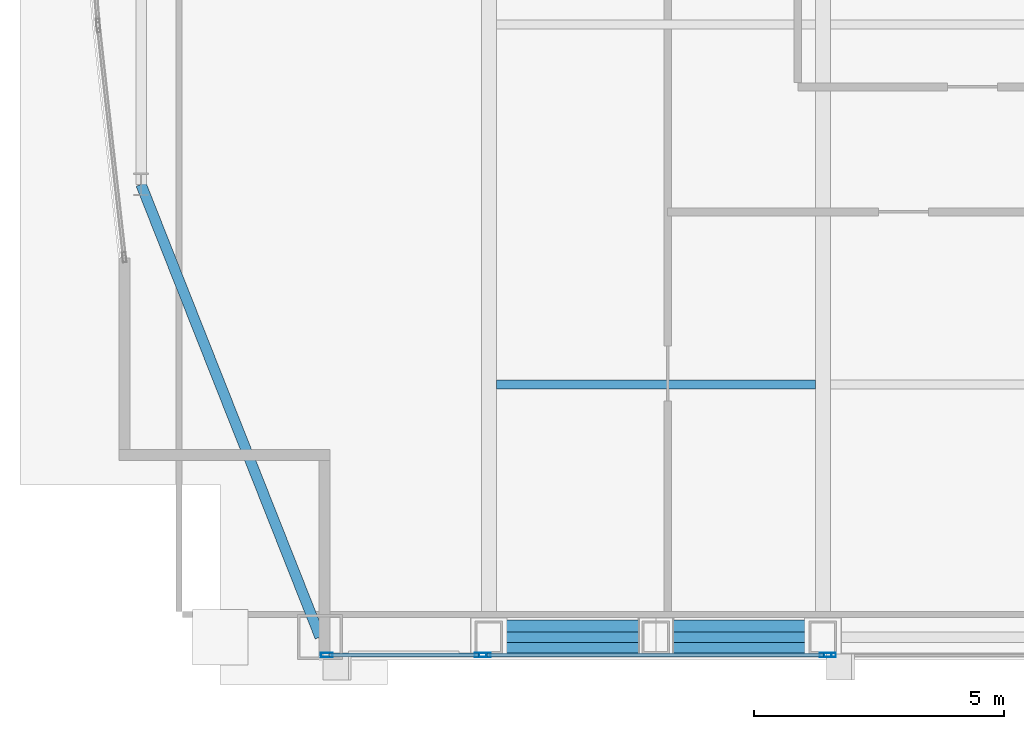
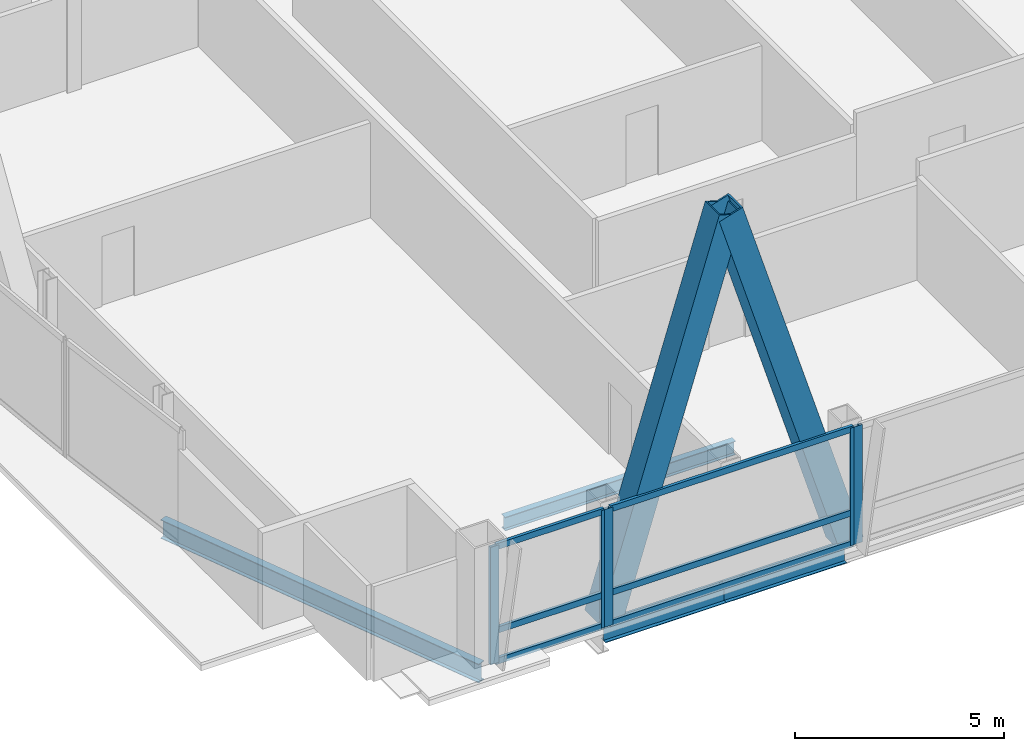
# One storey, part 4 of 28: 13 members, 4 beams, 3 elements without a shape of their own.
"""IFC4 building model written with IfcOpenShell, lengths in metres."""

from ifc_helpers import new_model, si_unit, direction, frame, origin, origin_2d, place, context, subcontext, project, spatial, hollow_rectangle, i_section, extrude, material, material_profile, profile_set, type_object, element, aggregate, save


model = new_model("IFC4")

# Units and contexts
model_context = context("Model", 3, precision=1e-05, world=origin(), true_north=direction((0.0, 1.0)))
body_context = subcontext(model_context, "Body", "Model", "MODEL_VIEW")
ifc_project = project(units=[si_unit("LENGTHUNIT", "METRE"), si_unit("AREAUNIT", "SQUARE_METRE"), si_unit("VOLUMEUNIT", "CUBIC_METRE"), si_unit("PLANEANGLEUNIT", "RADIAN"), si_unit("MASSUNIT", "GRAM", prefix="KILO")], contexts=[model_context])

# Site, building, storey
site_placement = place(None, origin())
site = spatial("IfcSite", under=ifc_project, at=site_placement, CompositionType="ELEMENT")
building_placement = place(site_placement, origin())
building = spatial("IfcBuilding", under=site, at=building_placement, Name="Khoronbel Lancet Exchange", CompositionType="ELEMENT")
storey_placement = place(building_placement, frame((0.0, 0.0, 291.39990234375)))
storey = spatial("IfcBuildingStorey", under=building, at=storey_placement, Name="L75", CompositionType="ELEMENT", Elevation=291.39990234375)

# Beams
ifc_material_1 = material(Name="Steel S355", Category="steel")
ifc_material_profile_1 = material_profile(ifc_material_1, i_section(OverallWidth=0.179931640625, OverallDepth=0.39990234375, WebThickness=0.008544921875, FlangeThickness=0.013427734375, at=origin_2d()), Name="IPE 400")
ifc_profile_set_1 = profile_set([ifc_material_profile_1], Name="Steel S355")
beam_type_1 = type_object("IfcBeamType", Name="BM-BJ5", PredefinedType="JOIST", material=ifc_profile_set_1)
beam_1_placement = place(storey_placement, frame((18.375, 15.199951171875, -0.35986328125), z_axis=(1.0, 0.0, 0.0), x_axis=(0.0, 1.0, 0.0)))
element("IfcBeam", 1, at=beam_1_placement, inside=storey, type_object=beam_type_1, Name="Level L75 secondary composite joist J01", PredefinedType="JOIST", context=body_context, shape_type="SweptSolid", body=[
    extrude(i_section(OverallWidth=0.179931640625, OverallDepth=0.39990234375, WebThickness=0.008544921875, FlangeThickness=0.013427734375, at=origin_2d()), origin(), (0.0, 0.0, 1.0), 6.375),
])
ifc_material_profile_2 = material_profile(ifc_material_1, i_section(OverallWidth=0.2099609375, OverallDepth=0.550048828125, WebThickness=0.010986328125, FlangeThickness=0.01708984375, at=origin_2d()), Name="IPE 550")
ifc_profile_set_2 = profile_set([ifc_material_profile_2], Name="Steel S355")
beam_type_2 = type_object("IfcBeamType", Name="BM-BSP3", PredefinedType="SPANDREL", material=ifc_profile_set_2)
for number, where, z_axis, x_axis, name in (
    (2, (18.22509765625, 10.14990234375, -0.434814453125), (1.0, 0.0, 0.0), (0.0, 1.0, 0.0), "Level L75 perimeter spandrel beam SP01"),
    (3, (21.5625, 10.14990234375, -0.434814453125), (1.0, 0.0, 0.0), (0.0, 1.0, 0.0), "Level L75 perimeter spandrel beam SP02"),
):
    element("IfcBeam", number, at=place(storey_placement, frame(where, z_axis=z_axis, x_axis=x_axis)), inside=storey, type_object=beam_type_2, Name=name, PredefinedType="SPANDREL", context=body_context, shape_type="SweptSolid", body=[
        extrude(i_section(OverallWidth=0.2099609375, OverallDepth=0.550048828125, WebThickness=0.010986328125, FlangeThickness=0.01708984375, at=origin_2d()), origin(), (0.0, 0.0, 1.0), 3.33740234375),
    ])
beam_2_placement = place(storey_placement, frame((11.27001953125, 19.199951171875, -0.434814453125), z_axis=(0.367850095026, -0.92988510451, 0.0), x_axis=(0.92988510451, 0.367850095026, 0.0)))
element("IfcBeam", 4, at=beam_2_placement, inside=storey, type_object=beam_type_2, Name="Level L75 perimeter spandrel beam SP19", PredefinedType="SPANDREL", context=body_context, shape_type="SweptSolid", body=[
    extrude(i_section(OverallWidth=0.2099609375, OverallDepth=0.550048828125, WebThickness=0.010986328125, FlangeThickness=0.01708984375, at=origin_2d()), origin(), (0.0, 0.0, 1.0), 9.732421875),
])

# Curtain wall, members
ifc_material_2 = material(Name="Low-E Solar Control Insulating Glass", Category="glass")
curtain_wall_type = type_object("IfcCurtainWallType", Name="CW-3", PredefinedType="NOTDEFINED", material=ifc_material_2)
curtain_wall_1_placement = place(storey_placement, origin())
curtain_wall_1 = element("IfcCurtainWall", 5, at=curtain_wall_1_placement, inside=storey, type_object=curtain_wall_type, Name="Unitised curtain wall CW-L75-SWV", PredefinedType="NOTDEFINED")
ifc_material_3 = material(Name="Bronze-Anodised Aluminium 6063-T6", Category="aluminium")
ifc_material_profile_3 = material_profile(ifc_material_3, hollow_rectangle(XDim=0.0849609375, YDim=0.239990234375, WallThickness=0.006103515625, at=origin_2d()), Name="ALU MULLION 85x240")
ifc_profile_set_3 = profile_set([ifc_material_profile_3], Name="Bronze-Anodised Aluminium 6063-T6")
member_type_1 = type_object("IfcMemberType", Name="MEM-CWM1", PredefinedType="MULLION", material=ifc_profile_set_3)
member_1_placement = place(storey_placement, frame((14.982421875, 9.7900390625, 0.0), z_axis=(0.0, 0.0, 1.0), x_axis=(0.0, 1.0, 0.0)))
member_1 = element("IfcMember", 6, at=member_1_placement, type_object=member_type_1, Name="CW3 mullion 1", PredefinedType="MULLION", context=body_context, shape_type="SweptSolid", body=[
    extrude(hollow_rectangle(XDim=0.0849609375, YDim=0.239990234375, WallThickness=0.006103515625, at=origin_2d()), origin(), (0.0, 0.0, 1.0), 3.440185546875),
])
member_2_placement = place(storey_placement, frame((18.0576171875, 9.7900390625, 0.0), z_axis=(0.0, 0.0, 1.0), x_axis=(0.0, 1.0, 0.0)))
member_2 = element("IfcMember", 7, at=member_2_placement, type_object=member_type_1, Name="CW3 mullion 2", PredefinedType="MULLION", context=body_context, shape_type="SweptSolid", body=[
    extrude(hollow_rectangle(XDim=0.0849609375, YDim=0.239990234375, WallThickness=0.006103515625, at=origin_2d()), origin(), (0.0, 0.0, 1.0), 3.440185546875),
])

curtain_wall_2_placement = place(storey_placement, origin())
curtain_wall_2 = element("IfcCurtainWall", 8, at=curtain_wall_2_placement, inside=storey, type_object=curtain_wall_type, Name="Unitised curtain wall CW-L75-SWB", PredefinedType="NOTDEFINED")
member_3_placement = place(storey_placement, frame((18.142578125, 9.7900390625, 0.0), z_axis=(0.0, 0.0, 1.0), x_axis=(0.0, 1.0, 0.0)))
member_3 = element("IfcMember", 9, at=member_3_placement, type_object=member_type_1, Name="CW3 mullion 1", PredefinedType="MULLION", context=body_context, shape_type="SweptSolid", body=[
    extrude(hollow_rectangle(XDim=0.0849609375, YDim=0.239990234375, WallThickness=0.006103515625, at=origin_2d()), origin(), (0.0, 0.0, 1.0), 3.440185546875),
])
member_4_placement = place(storey_placement, frame((24.95751953125, 9.7900390625, 0.0), z_axis=(0.0, 0.0, 1.0), x_axis=(0.0, 1.0, 0.0)))
member_4 = element("IfcMember", 10, at=member_4_placement, type_object=member_type_1, Name="CW3 mullion 2", PredefinedType="MULLION", context=body_context, shape_type="SweptSolid", body=[
    extrude(hollow_rectangle(XDim=0.0849609375, YDim=0.239990234375, WallThickness=0.006103515625, at=origin_2d()), origin(), (0.0, 0.0, 1.0), 3.440185546875),
])

# Curtain wall, member
curtain_wall_3_placement = place(storey_placement, origin())
curtain_wall_3 = element("IfcCurtainWall", 11, at=curtain_wall_3_placement, inside=storey, type_object=curtain_wall_type, Name="Unitised curtain wall CW-L75-SCV", PredefinedType="NOTDEFINED")
member_5_placement = place(storey_placement, frame((25.04248046875, 9.7900390625, 0.0), z_axis=(0.0, 0.0, 1.0), x_axis=(0.0, 1.0, 0.0)))
member_5 = element("IfcMember", 12, at=member_5_placement, type_object=member_type_1, Name="CW3 mullion 1", PredefinedType="MULLION", context=body_context, shape_type="SweptSolid", body=[
    extrude(hollow_rectangle(XDim=0.0849609375, YDim=0.239990234375, WallThickness=0.006103515625, at=origin_2d()), origin(), (0.0, 0.0, 1.0), 3.440185546875),
])
aggregate(curtain_wall_3, [member_5])

# Member
ifc_material_profile_4 = material_profile(ifc_material_3, hollow_rectangle(XDim=0.0849609375, YDim=0.179931640625, WallThickness=0.0048828125, at=origin_2d()), Name="ALU TRANSOM 85x180")
ifc_profile_set_4 = profile_set([ifc_material_profile_4], Name="Bronze-Anodised Aluminium 6063-T6")
member_type_2 = type_object("IfcMemberType", Name="MEM-CWT1", PredefinedType="USERDEFINED", material=ifc_profile_set_4)
member_6_placement = place(storey_placement, frame((15.02490234375, 9.7900390625, 0.04248046875), z_axis=(1.0, 0.0, 0.0), x_axis=(0.0, 1.0, 0.0)))
member_6 = element("IfcMember", 13, at=member_6_placement, type_object=member_type_2, Name="CW3 transom 1.1", ObjectType="TRANSOM", PredefinedType="USERDEFINED", context=body_context, shape_type="SweptSolid", body=[
    extrude(hollow_rectangle(XDim=0.0849609375, YDim=0.179931640625, WallThickness=0.0048828125, at=origin_2d()), origin(), (0.0, 0.0, 1.0), 2.989990234375),
])

member_7_placement = place(storey_placement, frame((15.02490234375, 9.7900390625, 0.9501953125), z_axis=(1.0, 0.0, 0.0), x_axis=(0.0, 1.0, 0.0)))
member_7 = element("IfcMember", 14, at=member_7_placement, type_object=member_type_2, Name="CW3 transom 1.2", ObjectType="TRANSOM", PredefinedType="USERDEFINED", context=body_context, shape_type="SweptSolid", body=[
    extrude(hollow_rectangle(XDim=0.0849609375, YDim=0.179931640625, WallThickness=0.0048828125, at=origin_2d()), origin(), (0.0, 0.0, 1.0), 2.989990234375),
])

member_8_placement = place(storey_placement, frame((15.02490234375, 9.7900390625, 3.397705078125), z_axis=(1.0, 0.0, 0.0), x_axis=(0.0, 1.0, 0.0)))
member_8 = element("IfcMember", 15, at=member_8_placement, type_object=member_type_2, Name="CW3 transom 1.3", ObjectType="TRANSOM", PredefinedType="USERDEFINED", context=body_context, shape_type="SweptSolid", body=[
    extrude(hollow_rectangle(XDim=0.0849609375, YDim=0.179931640625, WallThickness=0.0048828125, at=origin_2d()), origin(), (0.0, 0.0, 1.0), 2.989990234375),
])

aggregate(curtain_wall_1, [member_1, member_2, member_6, member_7, member_8])

member_9_placement = place(storey_placement, frame((18.18505859375, 9.7900390625, 0.04248046875), z_axis=(1.0, 0.0, 0.0), x_axis=(0.0, 1.0, 0.0)))
member_9 = element("IfcMember", 16, at=member_9_placement, type_object=member_type_2, Name="CW3 transom 1.1", ObjectType="TRANSOM", PredefinedType="USERDEFINED", context=body_context, shape_type="SweptSolid", body=[
    extrude(hollow_rectangle(XDim=0.0849609375, YDim=0.179931640625, WallThickness=0.0048828125, at=origin_2d()), origin(), (0.0, 0.0, 1.0), 6.72998046875),
])

member_10_placement = place(storey_placement, frame((18.18505859375, 9.7900390625, 0.9501953125), z_axis=(1.0, 0.0, 0.0), x_axis=(0.0, 1.0, 0.0)))
member_10 = element("IfcMember", 17, at=member_10_placement, type_object=member_type_2, Name="CW3 transom 1.2", ObjectType="TRANSOM", PredefinedType="USERDEFINED", context=body_context, shape_type="SweptSolid", body=[
    extrude(hollow_rectangle(XDim=0.0849609375, YDim=0.179931640625, WallThickness=0.0048828125, at=origin_2d()), origin(), (0.0, 0.0, 1.0), 6.72998046875),
])

member_11_placement = place(storey_placement, frame((18.18505859375, 9.7900390625, 3.397705078125), z_axis=(1.0, 0.0, 0.0), x_axis=(0.0, 1.0, 0.0)))
member_11 = element("IfcMember", 18, at=member_11_placement, type_object=member_type_2, Name="CW3 transom 1.3", ObjectType="TRANSOM", PredefinedType="USERDEFINED", context=body_context, shape_type="SweptSolid", body=[
    extrude(hollow_rectangle(XDim=0.0849609375, YDim=0.179931640625, WallThickness=0.0048828125, at=origin_2d()), origin(), (0.0, 0.0, 1.0), 6.72998046875),
])

aggregate(curtain_wall_2, [member_3, member_4, member_9, member_10, member_11])

# Members
ifc_material_4 = material(Name="Steel S460", Category="steel")
ifc_material_profile_5 = material_profile(ifc_material_4, hollow_rectangle(XDim=0.679931640625, YDim=0.679931640625, WallThickness=0.044921875, at=origin_2d()), Name="BOX 680x680x45")
ifc_profile_set_5 = profile_set([ifc_material_profile_5], Name="Steel S460")
member_type_3 = type_object("IfcMemberType", Name="MEM-MB3", PredefinedType="BRACE", material=ifc_profile_set_5)
for number, where, z_axis, x_axis, name in (
    (19, (18.22509765625, 10.14990234375, 0.0), (0.295242108906, 0.0, 0.955422470496), (0.0, 1.0, 0.0), "Perimeter lancet brace tier 26 S-W-L"),
    (20, (24.89990234375, 10.14990234375, 0.0), (-0.295242108906, 0.0, 0.955422470496), (0.0, -1.0, 0.0), "Perimeter lancet brace tier 26 S-W-R"),
):
    element("IfcMember", number, at=place(storey_placement, frame(where, z_axis=z_axis, x_axis=x_axis)), inside=storey, type_object=member_type_3, Name=name, PredefinedType="BRACE", context=body_context, shape_type="SweptSolid", body=[
        extrude(hollow_rectangle(XDim=0.679931640625, YDim=0.679931640625, WallThickness=0.044921875, at=origin_2d()), origin(), (0.0, 0.0, 1.0), 11.303955078125),
    ])

save(model, "model.ifc")
